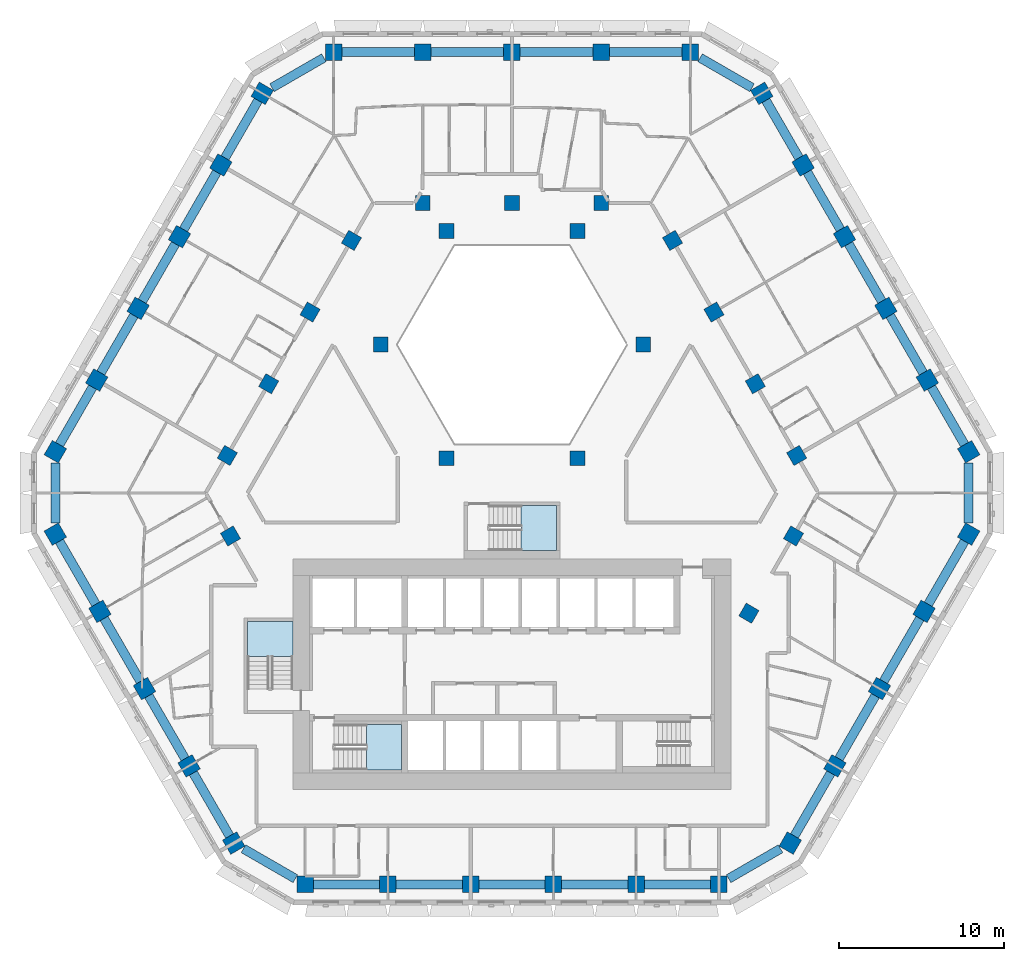
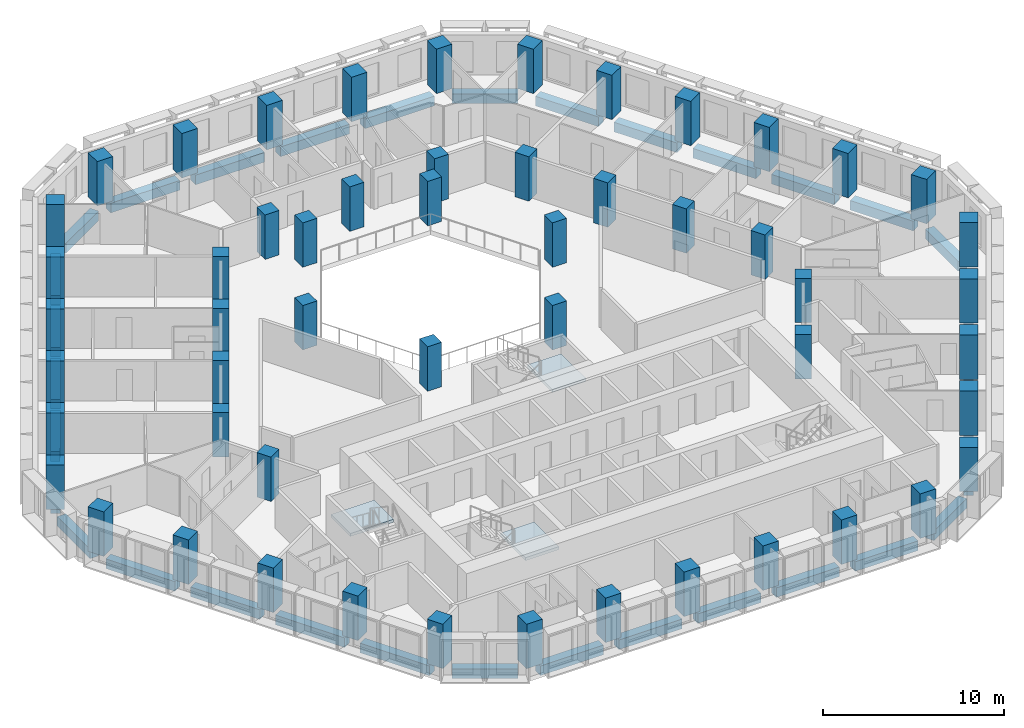
# One storey, part 1 of 18: 53 columns, 33 beams, 3 slabs, 3 elements without a shape of their own.
"""IFC4 building model written with IfcOpenShell, lengths in metres."""

from ifc_helpers import new_model, si_unit, direction, frame, origin, origin_2d, place, context, subcontext, project, spatial, polyline, rectangle, outline, extrude, material, layer, layer_set, material_profile, profile_set, type_object, element, aggregate, save


model = new_model("IFC4")

# Units and contexts
model_context = context("Model", 3, precision=1e-05, world=origin(), true_north=direction((0.0, 1.0)))
body_context = subcontext(model_context, "Body", "Model", "MODEL_VIEW")
ifc_project = project(units=[si_unit("LENGTHUNIT", "METRE"), si_unit("AREAUNIT", "SQUARE_METRE"), si_unit("VOLUMEUNIT", "CUBIC_METRE"), si_unit("PLANEANGLEUNIT", "RADIAN"), si_unit("MASSUNIT", "GRAM", prefix="KILO")], contexts=[model_context])

# Site, building, storey
site_placement = place(None, origin())
site = spatial("IfcSite", under=ifc_project, at=site_placement, CompositionType="ELEMENT")
building_placement = place(site_placement, origin())
building = spatial("IfcBuilding", under=site, at=building_placement, Name="Beryl Residences", CompositionType="ELEMENT")
storey_placement = place(building_placement, frame((0.0, 0.0, 75.0)))
storey = spatial("IfcBuildingStorey", under=building, at=storey_placement, Name="L22", CompositionType="ELEMENT", Elevation=75.0)

# Columns
ifc_material_1 = material(Name="Concrete C70/85", Category="concrete")
ifc_material_profile_1 = material_profile(ifc_material_1, rectangle(XDim=1.0, YDim=1.0, at=origin_2d()))
ifc_profile_set_1 = profile_set([ifc_material_profile_1], Name="Concrete C70/85")
column_type_1 = type_object("IfcColumnType", Name="C2 tube column 1000 x 1000 C70/85", PredefinedType="COLUMN", material=ifc_profile_set_1)
for number, where, z_axis, x_axis, name in (
    (1, (10.824951171875, 25.75, 0.0), (0.0, 0.0, 1.0), (-1.0, 0.0, 0.0), "C2-N1 L22"),
    (2, (5.412109375, 25.75, 0.0), (0.0, 0.0, 1.0), (-1.0, 0.0, 0.0), "C2-N2 L22"),
    (3, (-0.0009765625, 25.75, 0.0), (0.0, 0.0, 1.0), (-1.0, 0.0, 0.0), "C2-N3 L22"),
    (4, (-5.4140625, 25.75, 0.0), (0.0, 0.0, 1.0), (-1.0, 0.0, 0.0), "C2-N4 L22"),
    (5, (-10.826904296875, 25.75, 0.0), (0.0, 0.0, 1.0), (-1.0, 0.0, 0.0), "C2-N5 L22"),
    (6, (-15.155029296875, 23.2509765625, 0.0), (0.0, 0.0, 1.0), (-0.5, -0.866025403784, 0.0), "C2-NW1 L22"),
    (7, (-17.6669921875, 18.89990234375, 0.0), (0.0, 0.0, 1.0), (-0.5, -0.866025403784, 0.0), "C2-NW2 L22"),
    (8, (-20.177978515625, 14.550048828125, 0.0), (0.0, 0.0, 1.0), (-0.5, -0.866025403784, 0.0), "C2-NW3 L22"),
    (9, (-22.68994140625, 10.199951171875, 0.0), (0.0, 0.0, 1.0), (-0.5, -0.866025403784, 0.0), "C2-NW4 L22"),
    (10, (-25.201904296875, 5.85009765625, 0.0), (0.0, 0.0, 1.0), (-0.5, -0.866025403784, 0.0), "C2-NW5 L22"),
    (11, (-27.712890625, 1.5, 0.0), (0.0, 0.0, 1.0), (-0.5, -0.866025403784, 0.0), "C2-NW6 L22"),
    (12, (-27.714111328125, -3.4990234375, 0.0), (0.0, 0.0, 1.0), (0.5, -0.866025403784, 0.0), "C2-SW1 L22"),
    (13, (-25.007080078125, -8.18701171875, 0.0), (0.0, 0.0, 1.0), (0.5, -0.866025403784, 0.0), "C2-SW2 L22"),
    (14, (-22.300048828125, -12.875, 0.0), (0.0, 0.0, 1.0), (0.5, -0.866025403784, 0.0), "C2-SW3 L22"),
    (15, (-19.593994140625, -17.56298828125, 0.0), (0.0, 0.0, 1.0), (0.5, -0.866025403784, 0.0), "C2-SW4 L22"),
    (16, (-16.886962890625, -22.2509765625, 0.0), (0.0, 0.0, 1.0), (0.5, -0.866025403784, 0.0), "C2-SW5 L22"),
    (17, (-12.556884765625, -24.75, 0.0), (0.0, 0.0, 1.0), (1.0, 0.0, 0.0), "C2-S1 L22"),
    (18, (-7.533935546875, -24.75, 0.0), (0.0, 0.0, 1.0), (1.0, 0.0, 0.0), "C2-S2 L22"),
    (19, (-2.510986328125, -24.75, 0.0), (0.0, 0.0, 1.0), (1.0, 0.0, 0.0), "C2-S3 L22"),
    (20, (2.511962890625, -24.75, 0.0), (0.0, 0.0, 1.0), (1.0, 0.0, 0.0), "C2-S4 L22"),
    (21, (7.534912109375, -24.75, 0.0), (0.0, 0.0, 1.0), (1.0, 0.0, 0.0), "C2-S5 L22"),
    (22, (12.55810546875, -24.75, 0.0), (0.0, 0.0, 1.0), (1.0, 0.0, 0.0), "C2-S6 L22"),
    (23, (16.886962890625, -22.2509765625, 0.0), (0.0, 0.0, 1.0), (0.5, 0.866025403784, 0.0), "C2-SE1 L22"),
    (24, (19.593994140625, -17.56298828125, 0.0), (0.0, 0.0, 1.0), (0.5, 0.866025403784, 0.0), "C2-SE2 L22"),
    (25, (22.300048828125, -12.875, 0.0), (0.0, 0.0, 1.0), (0.5, 0.866025403784, 0.0), "C2-SE3 L22"),
    (26, (25.007080078125, -8.18701171875, 0.0), (0.0, 0.0, 1.0), (0.5, 0.866025403784, 0.0), "C2-SE4 L22"),
    (27, (27.714111328125, -3.4990234375, 0.0), (0.0, 0.0, 1.0), (0.5, 0.866025403784, 0.0), "C2-SE5 L22"),
    (28, (27.714111328125, 1.4990234375, 0.0), (0.0, 0.0, 1.0), (-0.5, 0.866025403784, 0.0), "C2-NE1 L22"),
    (29, (25.201904296875, 5.85009765625, 0.0), (0.0, 0.0, 1.0), (-0.5, 0.866025403784, 0.0), "C2-NE2 L22"),
    (30, (22.68994140625, 10.199951171875, 0.0), (0.0, 0.0, 1.0), (-0.5, 0.866025403784, 0.0), "C2-NE3 L22"),
    (31, (20.178955078125, 14.550048828125, 0.0), (0.0, 0.0, 1.0), (-0.5, 0.866025403784, 0.0), "C2-NE4 L22"),
    (32, (17.6669921875, 18.89990234375, 0.0), (0.0, 0.0, 1.0), (-0.5, 0.866025403784, 0.0), "C2-NE5 L22"),
    (33, (15.156005859375, 23.25, 0.0), (0.0, 0.0, 1.0), (-0.5, 0.866025403784, 0.0), "C2-NE6 L22"),
):
    element("IfcColumn", number, at=place(storey_placement, frame(where, z_axis=z_axis, x_axis=x_axis)), inside=storey, type_object=column_type_1, Name=name, PredefinedType="COLUMN", context=body_context, shape_type="SweptSolid", body=[
        extrude(rectangle(XDim=1.0, YDim=1.0, at=origin_2d()), origin(), (0.0, 0.0, 1.0), 3.0),
    ])
ifc_material_2 = material(Name="Concrete C70/85", Category="concrete")
ifc_material_profile_2 = material_profile(ifc_material_2, rectangle(XDim=0.89990234375, YDim=0.89990234375, at=origin_2d()))
ifc_profile_set_2 = profile_set([ifc_material_profile_2], Name="Concrete C70/85")
column_type_2 = type_object("IfcColumnType", Name="IC2 interior column 900 x 900 C70/85", PredefinedType="COLUMN", material=ifc_profile_set_2)
for number, where, z_axis, x_axis, name in (
    (34, (-17.0830078125, -3.612060546875, 0.0), (0.0, 0.0, 1.0), (0.5, -0.866025403784, 0.0), "IC2-M01 L22"),
    (35, (14.3759765625, -8.300048828125, 0.0), (0.0, 0.0, 1.0), (0.5, 0.866025403784, 0.0), "IC2-M02 L22"),
    (36, (17.0830078125, -3.612060546875, 0.0), (0.0, 0.0, 1.0), (0.5, 0.866025403784, 0.0), "IC2-M03 L22"),
    (37, (17.278076171875, 1.27392578125, 0.0), (0.0, 0.0, 1.0), (-0.5, 0.866025403784, 0.0), "IC2-M04 L22"),
    (38, (3.98388671875, 1.10009765625, 0.0), (0.0, 0.0, 1.0), (1.0, 0.0, 0.0), "IC2-A05 L22"),
    (39, (14.76611328125, 5.625, 0.0), (0.0, 0.0, 1.0), (-0.5, 0.866025403784, 0.0), "IC2-M06 L22"),
    (40, (12.2548828125, 9.97509765625, 0.0), (0.0, 0.0, 1.0), (-0.5, 0.866025403784, 0.0), "IC2-M07 L22"),
    (41, (7.967041015625, 8.0, 0.0), (0.0, 0.0, 1.0), (1.0, 0.0, 0.0), "IC2-A08 L22"),
    (42, (9.742919921875, 14.324951171875, 0.0), (0.0, 0.0, 1.0), (-0.5, 0.866025403784, 0.0), "IC2-M09 L22"),
    (43, (5.412109375, 16.60009765625, 0.0), (0.0, 0.0, 1.0), (-1.0, 0.0, 0.0), "IC2-M10 L22"),
    (44, (3.98388671875, 14.89990234375, 0.0), (0.0, 0.0, 1.0), (1.0, 0.0, 0.0), "IC2-A11 L22"),
    (45, (-0.0009765625, 16.60009765625, 0.0), (0.0, 0.0, 1.0), (-1.0, 0.0, 0.0), "IC2-M12 L22"),
    (46, (-3.98388671875, 14.89990234375, 0.0), (0.0, 0.0, 1.0), (1.0, 0.0, 0.0), "IC2-A13 L22"),
    (47, (-5.4140625, 16.60009765625, 0.0), (0.0, 0.0, 1.0), (-1.0, 0.0, 0.0), "IC2-M14 L22"),
    (48, (-9.742919921875, 14.324951171875, 0.0), (0.0, 0.0, 1.0), (-0.5, -0.866025403784, 0.0), "IC2-M15 L22"),
    (49, (-7.967041015625, 8.0, 0.0), (0.0, 0.0, 1.0), (1.0, 0.0, 0.0), "IC2-A16 L22"),
    (50, (-12.25390625, 9.97509765625, 0.0), (0.0, 0.0, 1.0), (-0.5, -0.866025403784, 0.0), "IC2-M17 L22"),
    (51, (-14.76611328125, 5.625, 0.0), (0.0, 0.0, 1.0), (-0.5, -0.866025403784, 0.0), "IC2-M18 L22"),
    (52, (-3.98388671875, 1.10009765625, 0.0), (0.0, 0.0, 1.0), (1.0, 0.0, 0.0), "IC2-A19 L22"),
    (53, (-17.277099609375, 1.27490234375, 0.0), (0.0, 0.0, 1.0), (-0.5, -0.866025403784, 0.0), "IC2-M20 L22"),
):
    element("IfcColumn", number, at=place(storey_placement, frame(where, z_axis=z_axis, x_axis=x_axis)), inside=storey, type_object=column_type_2, Name=name, PredefinedType="COLUMN", context=body_context, shape_type="SweptSolid", body=[
        extrude(rectangle(XDim=0.89990234375, YDim=0.89990234375, at=origin_2d()), origin(), (0.0, 0.0, 1.0), 3.0),
    ])

# Beams
ifc_material_3 = material(Name="Concrete C70/85", Category="concrete")
ifc_material_profile_3 = material_profile(ifc_material_3, rectangle(XDim=0.550048828125, YDim=0.64990234375, at=origin_2d()))
ifc_profile_set_3 = profile_set([ifc_material_profile_3], Name="Concrete C70/85")
beam_type = type_object("IfcBeamType", Name="SB2 spandrel beam 550 x 650 C70/85", PredefinedType="SPANDREL", material=ifc_profile_set_3)
beam_1_placement = place(storey_placement, frame((10.324951171875, 25.75, -0.625), z_axis=(-1.0, 0.0, 0.0), x_axis=(0.0, -1.0, 0.0)))
element("IfcBeam", 54, at=beam_1_placement, inside=storey, type_object=beam_type, Name="SB2 L22 N-0", PredefinedType="SPANDREL", context=body_context, shape_type="SweptSolid", body=[
    extrude(rectangle(XDim=0.550048828125, YDim=0.64990234375, at=origin_2d()), origin(), (0.0, 0.0, 1.0), 4.412841796875),
])
for number, where, z_axis, x_axis, name in (
    (55, (4.912109375, 25.75, -0.625), (-1.0, 0.0, 0.0), (0.0, -1.0, 0.0), "SB2 L22 N-1"),
    (56, (-0.5009765625, 25.75, -0.625), (-1.0, 0.0, 0.0), (0.0, -1.0, 0.0), "SB2 L22 N-2"),
):
    element("IfcBeam", number, at=place(storey_placement, frame(where, z_axis=z_axis, x_axis=x_axis)), inside=storey, type_object=beam_type, Name=name, PredefinedType="SPANDREL", context=body_context, shape_type="SweptSolid", body=[
        extrude(rectangle(XDim=0.550048828125, YDim=0.64990234375, at=origin_2d()), origin(), (0.0, 0.0, 1.0), 4.4130859375),
    ])
beam_2_placement = place(storey_placement, frame((-5.9140625, 25.75, -0.625), z_axis=(-1.0, 0.0, 0.0), x_axis=(0.0, -1.0, 0.0)))
element("IfcBeam", 57, at=beam_2_placement, inside=storey, type_object=beam_type, Name="SB2 L22 N-3", PredefinedType="SPANDREL", context=body_context, shape_type="SweptSolid", body=[
    extrude(rectangle(XDim=0.550048828125, YDim=0.64990234375, at=origin_2d()), origin(), (0.0, 0.0, 1.0), 4.412841796875),
])
beam_3_placement = place(storey_placement, frame((-11.41796875, 25.408935546875, -0.625), z_axis=(-0.865959503272, -0.500114125668, 0.0), x_axis=(0.500114125668, -0.865959503272, 0.0)))
element("IfcBeam", 58, at=beam_3_placement, inside=storey, type_object=beam_type, Name="SB2 L22 N-4", PredefinedType="SPANDREL", context=body_context, shape_type="SweptSolid", body=[
    extrude(rectangle(XDim=0.550048828125, YDim=0.64990234375, at=origin_2d()), origin(), (0.0, 0.0, 1.0), 3.633056640625),
])
beam_4_placement = place(storey_placement, frame((-15.405029296875, 22.818115234375, -0.625), z_axis=(-0.49996928203, -0.866043138087, 0.0), x_axis=(0.866043138087, -0.49996928203, 0.0)))
element("IfcBeam", 59, at=beam_4_placement, inside=storey, type_object=beam_type, Name="SB2 L22 NW-0", PredefinedType="SPANDREL", context=body_context, shape_type="SweptSolid", body=[
    extrude(rectangle(XDim=0.550048828125, YDim=0.64990234375, at=origin_2d()), origin(), (0.0, 0.0, 1.0), 4.024169921875),
])
beam_5_placement = place(storey_placement, frame((-17.9169921875, 18.467041015625, -0.625), z_axis=(-0.499892318183, -0.866087564985, 0.0), x_axis=(0.866087564985, -0.499892318183, 0.0)))
element("IfcBeam", 60, at=beam_5_placement, inside=storey, type_object=beam_type, Name="SB2 L22 NW-1", PredefinedType="SPANDREL", context=body_context, shape_type="SweptSolid", body=[
    extrude(rectangle(XDim=0.550048828125, YDim=0.64990234375, at=origin_2d()), origin(), (0.0, 0.0, 1.0), 4.02294921875),
])
beam_6_placement = place(storey_placement, frame((-20.427978515625, 14.116943359375, -0.625), z_axis=(-0.500100656611, -0.865967281863, 0.0), x_axis=(0.865967281863, -0.500100656611, 0.0)))
element("IfcBeam", 61, at=beam_6_placement, inside=storey, type_object=beam_type, Name="SB2 L22 NW-2", PredefinedType="SPANDREL", context=body_context, shape_type="SweptSolid", body=[
    extrude(rectangle(XDim=0.550048828125, YDim=0.64990234375, at=origin_2d()), origin(), (0.0, 0.0, 1.0), 4.023193359375),
])
beam_7_placement = place(storey_placement, frame((-22.93994140625, 9.76708984375, -0.625), z_axis=(-0.500074377092, -0.865982457891, 0.0), x_axis=(0.865982457891, -0.500074377092, 0.0)))
element("IfcBeam", 62, at=beam_7_placement, inside=storey, type_object=beam_type, Name="SB2 L22 NW-3", PredefinedType="SPANDREL", context=body_context, shape_type="SweptSolid", body=[
    extrude(rectangle(XDim=0.550048828125, YDim=0.64990234375, at=origin_2d()), origin(), (0.0, 0.0, 1.0), 4.0234375),
])
beam_8_placement = place(storey_placement, frame((-25.451904296875, 5.4169921875, -0.625), z_axis=(-0.499918594511, -0.866072398164, 0.0), x_axis=(0.866072398164, -0.499918594511, 0.0)))
element("IfcBeam", 63, at=beam_8_placement, inside=storey, type_object=beam_type, Name="SB2 L22 NW-4", PredefinedType="SPANDREL", context=body_context, shape_type="SweptSolid", body=[
    extrude(rectangle(XDim=0.550048828125, YDim=0.64990234375, at=origin_2d()), origin(), (0.0, 0.0, 1.0), 4.022705078125),
])
beam_9_placement = place(storey_placement, frame((-27.712890625, 0.81689453125, -0.625), z_axis=(-0.000336021486, -0.999999943545, 0.0), x_axis=(0.999999943545, -0.000336021486, 0.0)))
element("IfcBeam", 64, at=beam_9_placement, inside=storey, type_object=beam_type, Name="SB2 L22 NW-5", PredefinedType="SPANDREL", context=body_context, shape_type="SweptSolid", body=[
    extrude(rectangle(XDim=0.550048828125, YDim=0.64990234375, at=origin_2d()), origin(), (0.0, 0.0, 1.0), 3.6328125),
])
beam_10_placement = place(storey_placement, frame((-27.464111328125, -3.931884765625, -0.625), z_axis=(0.50006561292, -0.865987518834, 0.0), x_axis=(0.865987518834, 0.50006561292, 0.0)))
element("IfcBeam", 65, at=beam_10_placement, inside=storey, type_object=beam_type, Name="SB2 L22 SW-0", PredefinedType="SPANDREL", context=body_context, shape_type="SweptSolid", body=[
    extrude(rectangle(XDim=0.550048828125, YDim=0.64990234375, at=origin_2d()), origin(), (0.0, 0.0, 1.0), 4.41357421875),
])
beam_11_placement = place(storey_placement, frame((-24.757080078125, -8.6201171875, -0.625), z_axis=(0.500089568931, -0.865973684962, 0.0), x_axis=(0.865973684962, 0.500089568931, 0.0)))
element("IfcBeam", 66, at=beam_11_placement, inside=storey, type_object=beam_type, Name="SB2 L22 SW-1", PredefinedType="SPANDREL", context=body_context, shape_type="SweptSolid", body=[
    extrude(rectangle(XDim=0.550048828125, YDim=0.64990234375, at=origin_2d()), origin(), (0.0, 0.0, 1.0), 4.413330078125),
])
beam_12_placement = place(storey_placement, frame((-22.050048828125, -13.30810546875, -0.625), z_axis=(0.49992360228, -0.866069507536, 0.0), x_axis=(0.866069507536, 0.49992360228, 0.0)))
element("IfcBeam", 67, at=beam_12_placement, inside=storey, type_object=beam_type, Name="SB2 L22 SW-2", PredefinedType="SPANDREL", context=body_context, shape_type="SweptSolid", body=[
    extrude(rectangle(XDim=0.550048828125, YDim=0.64990234375, at=origin_2d()), origin(), (0.0, 0.0, 1.0), 4.412841796875),
])
beam_13_placement = place(storey_placement, frame((-19.343994140625, -17.99609375, -0.625), z_axis=(0.50006561292, -0.865987518834, 0.0), x_axis=(0.865987518834, 0.50006561292, 0.0)))
element("IfcBeam", 68, at=beam_13_placement, inside=storey, type_object=beam_type, Name="SB2 L22 SW-3", PredefinedType="SPANDREL", context=body_context, shape_type="SweptSolid", body=[
    extrude(rectangle(XDim=0.550048828125, YDim=0.64990234375, at=origin_2d()), origin(), (0.0, 0.0, 1.0), 4.41357421875),
])
beam_14_placement = place(storey_placement, frame((-16.2958984375, -22.592041015625, -0.625), z_axis=(0.866093873939, -0.499881387456, 0.0), x_axis=(0.499881387456, 0.866093873939, 0.0)))
element("IfcBeam", 69, at=beam_14_placement, inside=storey, type_object=beam_type, Name="SB2 L22 SW-4", PredefinedType="SPANDREL", context=body_context, shape_type="SweptSolid", body=[
    extrude(rectangle(XDim=0.550048828125, YDim=0.64990234375, at=origin_2d()), origin(), (0.0, 0.0, 1.0), 3.634765625),
])
for number, where, z_axis, x_axis, name in (
    (70, (-12.056884765625, -24.75, -0.625), (1.0, 0.0, 0.0), (0.0, 1.0, 0.0), "SB2 L22 S-0"),
    (71, (-7.033935546875, -24.75, -0.625), (1.0, 0.0, 0.0), (0.0, 1.0, 0.0), "SB2 L22 S-1"),
    (72, (-2.010986328125, -24.75, -0.625), (1.0, 0.0, 0.0), (0.0, 1.0, 0.0), "SB2 L22 S-2"),
    (73, (3.011962890625, -24.75, -0.625), (1.0, 0.0, 0.0), (0.0, 1.0, 0.0), "SB2 L22 S-3"),
):
    element("IfcBeam", number, at=place(storey_placement, frame(where, z_axis=z_axis, x_axis=x_axis)), inside=storey, type_object=beam_type, Name=name, PredefinedType="SPANDREL", context=body_context, shape_type="SweptSolid", body=[
        extrude(rectangle(XDim=0.550048828125, YDim=0.64990234375, at=origin_2d()), origin(), (0.0, 0.0, 1.0), 4.02294921875),
    ])
beam_15_placement = place(storey_placement, frame((8.034912109375, -24.75, -0.625), z_axis=(1.0, 0.0, 0.0), x_axis=(0.0, 1.0, 0.0)))
element("IfcBeam", 74, at=beam_15_placement, inside=storey, type_object=beam_type, Name="SB2 L22 S-4", PredefinedType="SPANDREL", context=body_context, shape_type="SweptSolid", body=[
    extrude(rectangle(XDim=0.550048828125, YDim=0.64990234375, at=origin_2d()), origin(), (0.0, 0.0, 1.0), 4.023193359375),
])
beam_16_placement = place(storey_placement, frame((13.14892578125, -24.408935546875, -0.625), z_axis=(0.866026712061, 0.499997733992, 0.0), x_axis=(-0.499997733992, 0.866026712061, 0.0)))
element("IfcBeam", 75, at=beam_16_placement, inside=storey, type_object=beam_type, Name="SB2 L22 S-5", PredefinedType="SPANDREL", context=body_context, shape_type="SweptSolid", body=[
    extrude(rectangle(XDim=0.550048828125, YDim=0.64990234375, at=origin_2d()), origin(), (0.0, 0.0, 1.0), 3.6337890625),
])
beam_17_placement = place(storey_placement, frame((17.136962890625, -21.818115234375, -0.625), z_axis=(0.50006561292, 0.865987518834, 0.0), x_axis=(-0.865987518834, 0.50006561292, 0.0)))
element("IfcBeam", 76, at=beam_17_placement, inside=storey, type_object=beam_type, Name="SB2 L22 SE-0", PredefinedType="SPANDREL", context=body_context, shape_type="SweptSolid", body=[
    extrude(rectangle(XDim=0.550048828125, YDim=0.64990234375, at=origin_2d()), origin(), (0.0, 0.0, 1.0), 4.41357421875),
])
beam_18_placement = place(storey_placement, frame((19.843994140625, -17.1298828125, -0.625), z_axis=(0.49992360228, 0.866069507536, 0.0), x_axis=(-0.866069507536, 0.49992360228, 0.0)))
element("IfcBeam", 77, at=beam_18_placement, inside=storey, type_object=beam_type, Name="SB2 L22 SE-1", PredefinedType="SPANDREL", context=body_context, shape_type="SweptSolid", body=[
    extrude(rectangle(XDim=0.550048828125, YDim=0.64990234375, at=origin_2d()), origin(), (0.0, 0.0, 1.0), 4.412841796875),
])
beam_19_placement = place(storey_placement, frame((22.550048828125, -12.44189453125, -0.625), z_axis=(0.500089568931, 0.865973684962, 0.0), x_axis=(-0.865973684962, 0.500089568931, 0.0)))
element("IfcBeam", 78, at=beam_19_placement, inside=storey, type_object=beam_type, Name="SB2 L22 SE-2", PredefinedType="SPANDREL", context=body_context, shape_type="SweptSolid", body=[
    extrude(rectangle(XDim=0.550048828125, YDim=0.64990234375, at=origin_2d()), origin(), (0.0, 0.0, 1.0), 4.413330078125),
])
beam_20_placement = place(storey_placement, frame((25.257080078125, -7.75390625, -0.625), z_axis=(0.50006561292, 0.865987518834, 0.0), x_axis=(-0.865987518834, 0.50006561292, 0.0)))
element("IfcBeam", 79, at=beam_20_placement, inside=storey, type_object=beam_type, Name="SB2 L22 SE-3", PredefinedType="SPANDREL", context=body_context, shape_type="SweptSolid", body=[
    extrude(rectangle(XDim=0.550048828125, YDim=0.64990234375, at=origin_2d()), origin(), (0.0, 0.0, 1.0), 4.41357421875),
])
beam_21_placement = place(storey_placement, frame((27.714111328125, -2.81591796875, -0.625), z_axis=(0.0, 1.0, 0.0), x_axis=(-1.0, 0.0, 0.0)))
element("IfcBeam", 80, at=beam_21_placement, inside=storey, type_object=beam_type, Name="SB2 L22 SE-4", PredefinedType="SPANDREL", context=body_context, shape_type="SweptSolid", body=[
    extrude(rectangle(XDim=0.550048828125, YDim=0.64990234375, at=origin_2d()), origin(), (0.0, 0.0, 1.0), 3.6318359375),
])
beam_22_placement = place(storey_placement, frame((27.464111328125, 1.931884765625, -0.625), z_axis=(-0.500014783214, 0.866016868524, 0.0), x_axis=(-0.866016868524, -0.500014783214, 0.0)))
element("IfcBeam", 81, at=beam_22_placement, inside=storey, type_object=beam_type, Name="SB2 L22 NE-0", PredefinedType="SPANDREL", context=body_context, shape_type="SweptSolid", body=[
    extrude(rectangle(XDim=0.550048828125, YDim=0.64990234375, at=origin_2d()), origin(), (0.0, 0.0, 1.0), 4.0244140625),
])
beam_23_placement = place(storey_placement, frame((24.951904296875, 6.282958984375, -0.625), z_axis=(-0.500074377092, 0.865982457891, 0.0), x_axis=(-0.865982457891, -0.500074377092, 0.0)))
element("IfcBeam", 82, at=beam_23_placement, inside=storey, type_object=beam_type, Name="SB2 L22 NE-1", PredefinedType="SPANDREL", context=body_context, shape_type="SweptSolid", body=[
    extrude(rectangle(XDim=0.550048828125, YDim=0.64990234375, at=origin_2d()), origin(), (0.0, 0.0, 1.0), 4.0234375),
])
beam_24_placement = place(storey_placement, frame((22.43994140625, 10.633056640625, -0.625), z_axis=(-0.499918594511, 0.866072398164, 0.0), x_axis=(-0.866072398164, -0.499918594511, 0.0)))
element("IfcBeam", 83, at=beam_24_placement, inside=storey, type_object=beam_type, Name="SB2 L22 NE-2", PredefinedType="SPANDREL", context=body_context, shape_type="SweptSolid", body=[
    extrude(rectangle(XDim=0.550048828125, YDim=0.64990234375, at=origin_2d()), origin(), (0.0, 0.0, 1.0), 4.022705078125),
])
beam_25_placement = place(storey_placement, frame((19.928955078125, 14.98291015625, -0.625), z_axis=(-0.500074377092, 0.865982457891, 0.0), x_axis=(-0.865982457891, -0.500074377092, 0.0)))
element("IfcBeam", 84, at=beam_25_placement, inside=storey, type_object=beam_type, Name="SB2 L22 NE-3", PredefinedType="SPANDREL", context=body_context, shape_type="SweptSolid", body=[
    extrude(rectangle(XDim=0.550048828125, YDim=0.64990234375, at=origin_2d()), origin(), (0.0, 0.0, 1.0), 4.0234375),
])
beam_26_placement = place(storey_placement, frame((17.4169921875, 19.3330078125, -0.625), z_axis=(-0.499918594511, 0.866072398164, 0.0), x_axis=(-0.866072398164, -0.499918594511, 0.0)))
element("IfcBeam", 85, at=beam_26_placement, inside=storey, type_object=beam_type, Name="SB2 L22 NE-4", PredefinedType="SPANDREL", context=body_context, shape_type="SweptSolid", body=[
    extrude(rectangle(XDim=0.550048828125, YDim=0.64990234375, at=origin_2d()), origin(), (0.0, 0.0, 1.0), 4.022705078125),
])
beam_27_placement = place(storey_placement, frame((14.56494140625, 23.591064453125, -0.625), z_axis=(-0.866044702259, 0.499966572571, 0.0), x_axis=(-0.499966572571, -0.866044702259, 0.0)))
element("IfcBeam", 86, at=beam_27_placement, inside=storey, type_object=beam_type, Name="SB2 L22 NE-5", PredefinedType="SPANDREL", context=body_context, shape_type="SweptSolid", body=[
    extrude(rectangle(XDim=0.550048828125, YDim=0.64990234375, at=origin_2d()), origin(), (0.0, 0.0, 1.0), 3.635986328125),
])

# Stair, slab
ifc_material_4 = material(Name="Concrete C40/50", Category="concrete")
stair_type = type_object("IfcStairType", Name="ST1 protected exit stair, half-turn, 1300 mm flights", PredefinedType="HALF_TURN_STAIR", material=ifc_material_4)
stair_1_placement = place(storey_placement, origin())
stair_1 = element("IfcStair", 87, at=stair_1_placement, inside=storey, type_object=stair_type, Name="L22 PROTECTED EXIT STAIR ST-1", PredefinedType="HALF_TURN_STAIR")
ifc_material_5 = material(Name="Concrete C40/50", Category="concrete")
ifc_layer = layer(ifc_material_5, 0.199951171875)
ifc_layer_set = layer_set([ifc_layer], Name="SLD1 stair landing 200 mm")
slab_type = type_object("IfcSlabType", Name="SLD1 stair landing 200 mm", PredefinedType="LANDING", material=ifc_layer_set)
slab_1_placement = place(storey_placement, frame((0.0, 0.0, 1.300048828125)))
slab_1 = element("IfcSlab", 88, at=slab_1_placement, type_object=slab_type, Name="ST-1 landing 1", PredefinedType="LANDING", context=body_context, shape_type="SweptSolid", body=[
    extrude(outline(polyline([(-8.840087890625, -17.800048828125), (-6.699951171875, -17.800048828125), (-6.699951171875, -15.050048828125), (-8.840087890625, -15.050048828125), (-8.840087890625, -17.800048828125)])), origin(), (0.0, 0.0, 1.0), 0.199951171875),
])
aggregate(stair_1, [slab_1])

stair_2_placement = place(storey_placement, origin())
stair_2 = element("IfcStair", 89, at=stair_2_placement, inside=storey, type_object=stair_type, Name="L22 PROTECTED EXIT STAIR ST-2", PredefinedType="HALF_TURN_STAIR")
slab_2_placement = place(storey_placement, frame((0.0, 0.0, 1.300048828125)))
slab_2 = element("IfcSlab", 90, at=slab_2_placement, type_object=slab_type, Name="ST-2 landing 1", PredefinedType="LANDING", context=body_context, shape_type="SweptSolid", body=[
    extrude(outline(polyline([(-13.300048828125, -10.93994140625), (-13.300048828125, -8.800048828125), (-16.050048828125, -8.800048828125), (-16.050048828125, -10.93994140625), (-13.300048828125, -10.93994140625)])), origin(), (0.0, 0.0, 1.0), 0.199951171875),
])
aggregate(stair_2, [slab_2])

stair_3_placement = place(storey_placement, origin())
stair_3 = element("IfcStair", 91, at=stair_3_placement, inside=storey, type_object=stair_type, Name="L22 PROTECTED EXIT STAIR ST-4", PredefinedType="HALF_TURN_STAIR")
slab_3_placement = place(storey_placement, frame((0.0, 0.0, 1.300048828125)))
slab_3 = element("IfcSlab", 92, at=slab_3_placement, type_object=slab_type, Name="ST-4 landing 1", PredefinedType="LANDING", context=body_context, shape_type="SweptSolid", body=[
    extrude(outline(polyline([(0.56005859375, -4.5), (2.699951171875, -4.5), (2.699951171875, -1.75), (0.56005859375, -1.75), (0.56005859375, -4.5)])), origin(), (0.0, 0.0, 1.0), 0.199951171875),
])
aggregate(stair_3, [slab_3])

save(model, "model.ifc")
